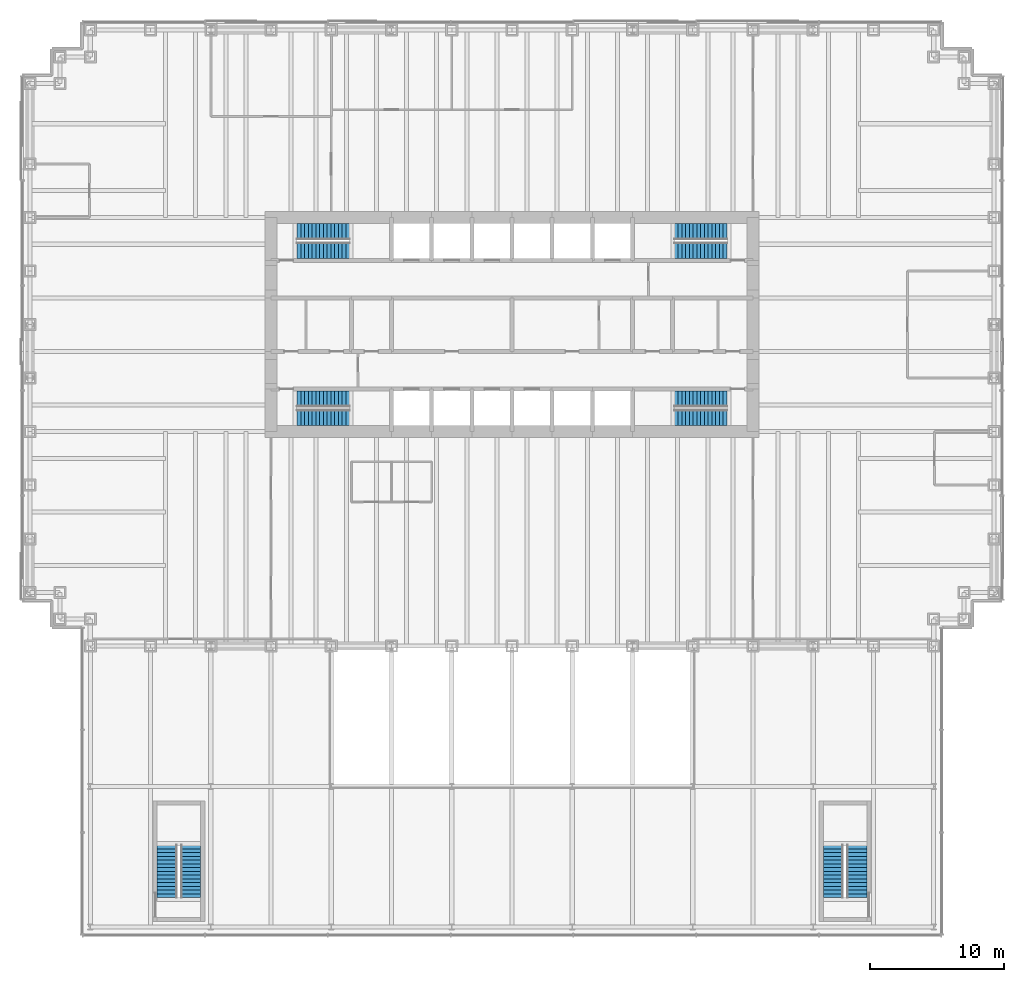
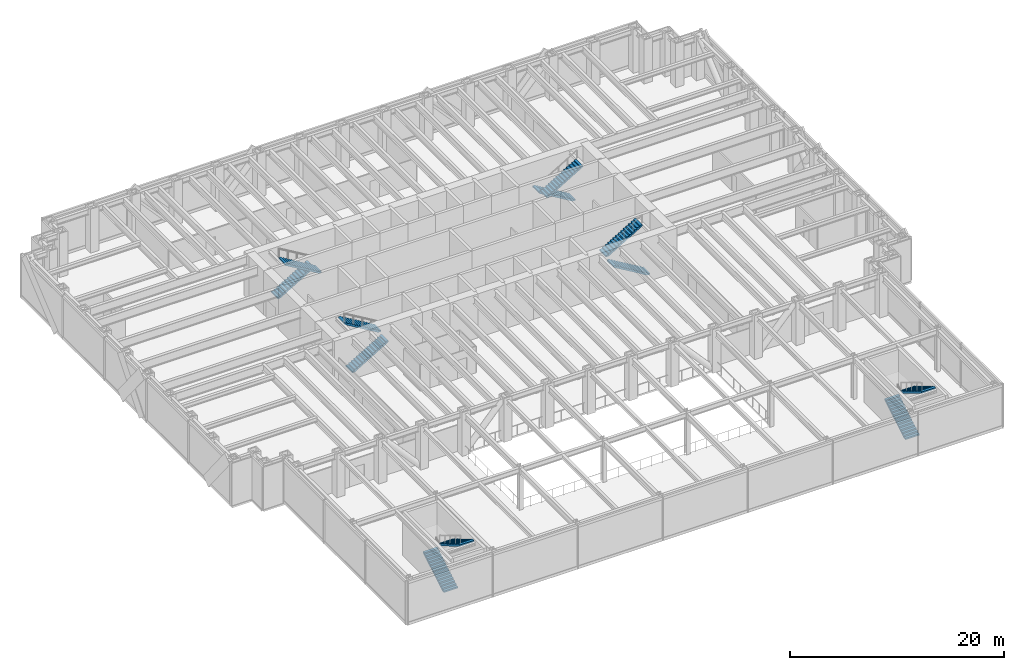
# One storey, part 16 of 17: 12 stair flights, 6 elements without a shape of their own.
"""IFC4 building model written with IfcOpenShell, lengths in metres."""

from ifc_helpers import new_model, si_unit, direction, frame, origin, place, context, subcontext, project, spatial, polyline, outline, extrude, material, type_object, element, aggregate, save


model = new_model("IFC4")

# Units and contexts
model_context = context("Model", 3, precision=1e-05, world=origin(), true_north=direction((0.0, 1.0)))
body_context = subcontext(model_context, "Body", "Model", "MODEL_VIEW")
ifc_project = project(units=[si_unit("LENGTHUNIT", "METRE"), si_unit("AREAUNIT", "SQUARE_METRE"), si_unit("VOLUMEUNIT", "CUBIC_METRE"), si_unit("PLANEANGLEUNIT", "RADIAN"), si_unit("MASSUNIT", "GRAM", prefix="KILO")], contexts=[model_context])

# Site, building, storey
site_placement = place(None, origin())
site = spatial("IfcSite", under=ifc_project, at=site_placement, CompositionType="ELEMENT")
building_placement = place(site_placement, origin())
building = spatial("IfcBuilding", under=site, at=building_placement, Name="Rheinbord Bourse Tower", CompositionType="ELEMENT")
storey_placement = place(building_placement, frame((0.0, 0.0, 18.0)))
storey = spatial("IfcBuildingStorey", under=building, at=storey_placement, Name="L03", CompositionType="ELEMENT", Elevation=18.0)

# Stair, stair flights
ifc_material_1 = material(Name="Concrete C30/37", Category="concrete")
stair_type_1 = type_object("IfcStairType", Name="CORE STAIR HALF TURN 5000", PredefinedType="HALF_TURN_STAIR", material=ifc_material_1)
stair_1_placement = place(storey_placement, origin())
stair_1 = element("IfcStair", 1, at=stair_1_placement, inside=storey, type_object=stair_type_1, Name="Stair ST1 L03, type CS3", PredefinedType="HALF_TURN_STAIR")
ifc_material_2 = material(Name="Concrete C30/37", Category="concrete")
stair_flight_type_1 = type_object("IfcStairFlightType", Name="CORE STAIR FLIGHT 1200, 15 RISERS", PredefinedType="STRAIGHT", material=ifc_material_2)
stair_flight_1_placement = place(storey_placement, frame((19.949951171875, 17.050048828125, 0.0), z_axis=(0.0, 0.0, 1.0), x_axis=(1.0, 0.0, 0.0)))
stair_flight_1 = element("IfcStairFlight", 2, at=stair_flight_1_placement, type_object=stair_flight_type_1, Name="STAIR L03 ST1 F1", NumberOfRisers=15, NumberOfTreads=14, PredefinedType="STRAIGHT", RiserHeight=0.166666667, TreadLength=0.28, context=body_context, shape_type="SweptSolid", body=[
    extrude(outline(polyline([(0.0, 0.0), (0.0, 0.166748046875), (0.280029296875, 0.166748046875), (0.280029296875, 0.333251953125), (0.56005859375, 0.333251953125), (0.56005859375, 0.5), (0.840087890625, 0.5), (0.840087890625, 0.666748046875), (1.1201171875, 0.666748046875), (1.1201171875, 0.833251953125), (1.39990234375, 0.833251953125), (1.39990234375, 1.0), (1.679931640625, 1.0), (1.679931640625, 1.166748046875), (1.9599609375, 1.166748046875), (1.9599609375, 1.333251953125), (2.239990234375, 1.333251953125), (2.239990234375, 1.5), (2.52001953125, 1.5), (2.52001953125, 1.666748046875), (2.800048828125, 1.666748046875), (2.800048828125, 1.833251953125), (3.080078125, 1.833251953125), (3.080078125, 2.0), (3.360107421875, 2.0), (3.360107421875, 2.166748046875), (3.639892578125, 2.166748046875), (3.639892578125, 2.333251953125), (3.919921875, 2.333251953125), (3.919921875, 2.5), (3.919921875, 2.158935546875), (0.29296875, 0.0), (0.0, 0.0)])), frame((0.0, 0.60009765625, 0.0), z_axis=(0.0, -1.0, 0.0), x_axis=(1.0, 0.0, 0.0)), (0.0, 0.0, 1.0), 1.199951171875),
])
stair_flight_2_placement = place(storey_placement, frame((23.8701171875, 18.449951171875, 2.5), z_axis=(0.0, 0.0, 1.0), x_axis=(-1.0, 0.0, 0.0)))
stair_flight_2 = element("IfcStairFlight", 3, at=stair_flight_2_placement, type_object=stair_flight_type_1, Name="STAIR L03 ST1 F2", NumberOfRisers=15, NumberOfTreads=14, PredefinedType="STRAIGHT", RiserHeight=0.166666667, TreadLength=0.28, context=body_context, shape_type="SweptSolid", body=[
    extrude(outline(polyline([(0.0, 0.0), (0.0, 0.166748046875), (0.280029296875, 0.166748046875), (0.280029296875, 0.333251953125), (0.56005859375, 0.333251953125), (0.56005859375, 0.5), (0.840087890625, 0.5), (0.840087890625, 0.666748046875), (1.1201171875, 0.666748046875), (1.1201171875, 0.833251953125), (1.39990234375, 0.833251953125), (1.39990234375, 1.0), (1.679931640625, 1.0), (1.679931640625, 1.166748046875), (1.9599609375, 1.166748046875), (1.9599609375, 1.333251953125), (2.239990234375, 1.333251953125), (2.239990234375, 1.5), (2.52001953125, 1.5), (2.52001953125, 1.666748046875), (2.800048828125, 1.666748046875), (2.800048828125, 1.833251953125), (3.080078125, 1.833251953125), (3.080078125, 2.0), (3.360107421875, 2.0), (3.360107421875, 2.166748046875), (3.639892578125, 2.166748046875), (3.639892578125, 2.333251953125), (3.919921875, 2.333251953125), (3.919921875, 2.5), (3.919921875, 2.158935546875), (0.29296875, 0.0), (0.0, 0.0)])), frame((0.0, 0.60009765625, 0.0), z_axis=(0.0, -1.0, 0.0), x_axis=(1.0, 0.0, 0.0)), (0.0, 0.0, 1.0), 1.199951171875),
])
aggregate(stair_1, [stair_flight_1, stair_flight_2])

stair_2_placement = place(storey_placement, origin())
stair_2 = element("IfcStair", 4, at=stair_2_placement, inside=storey, type_object=stair_type_1, Name="Stair ST2 L03, type CS3", PredefinedType="HALF_TURN_STAIR")
stair_flight_3_placement = place(storey_placement, frame((19.949951171875, 30.949951171875, 0.0), z_axis=(0.0, 0.0, 1.0), x_axis=(1.0, 0.0, 0.0)))
stair_flight_3 = element("IfcStairFlight", 5, at=stair_flight_3_placement, type_object=stair_flight_type_1, Name="STAIR L03 ST2 F1", NumberOfRisers=15, NumberOfTreads=14, PredefinedType="STRAIGHT", RiserHeight=0.166666667, TreadLength=0.28, context=body_context, shape_type="SweptSolid", body=[
    extrude(outline(polyline([(0.0, 0.0), (0.0, 0.166748046875), (0.280029296875, 0.166748046875), (0.280029296875, 0.333251953125), (0.56005859375, 0.333251953125), (0.56005859375, 0.5), (0.840087890625, 0.5), (0.840087890625, 0.666748046875), (1.1201171875, 0.666748046875), (1.1201171875, 0.833251953125), (1.39990234375, 0.833251953125), (1.39990234375, 1.0), (1.679931640625, 1.0), (1.679931640625, 1.166748046875), (1.9599609375, 1.166748046875), (1.9599609375, 1.333251953125), (2.239990234375, 1.333251953125), (2.239990234375, 1.5), (2.52001953125, 1.5), (2.52001953125, 1.666748046875), (2.800048828125, 1.666748046875), (2.800048828125, 1.833251953125), (3.080078125, 1.833251953125), (3.080078125, 2.0), (3.360107421875, 2.0), (3.360107421875, 2.166748046875), (3.639892578125, 2.166748046875), (3.639892578125, 2.333251953125), (3.919921875, 2.333251953125), (3.919921875, 2.5), (3.919921875, 2.158935546875), (0.29296875, 0.0), (0.0, 0.0)])), frame((0.0, 0.60009765625, 0.0), z_axis=(0.0, -1.0, 0.0), x_axis=(1.0, 0.0, 0.0)), (0.0, 0.0, 1.0), 1.199951171875),
])
stair_flight_4_placement = place(storey_placement, frame((23.8701171875, 29.550048828125, 2.5), z_axis=(0.0, 0.0, 1.0), x_axis=(-1.0, 0.0, 0.0)))
stair_flight_4 = element("IfcStairFlight", 6, at=stair_flight_4_placement, type_object=stair_flight_type_1, Name="STAIR L03 ST2 F2", NumberOfRisers=15, NumberOfTreads=14, PredefinedType="STRAIGHT", RiserHeight=0.166666667, TreadLength=0.28, context=body_context, shape_type="SweptSolid", body=[
    extrude(outline(polyline([(0.0, 0.0), (0.0, 0.166748046875), (0.280029296875, 0.166748046875), (0.280029296875, 0.333251953125), (0.56005859375, 0.333251953125), (0.56005859375, 0.5), (0.840087890625, 0.5), (0.840087890625, 0.666748046875), (1.1201171875, 0.666748046875), (1.1201171875, 0.833251953125), (1.39990234375, 0.833251953125), (1.39990234375, 1.0), (1.679931640625, 1.0), (1.679931640625, 1.166748046875), (1.9599609375, 1.166748046875), (1.9599609375, 1.333251953125), (2.239990234375, 1.333251953125), (2.239990234375, 1.5), (2.52001953125, 1.5), (2.52001953125, 1.666748046875), (2.800048828125, 1.666748046875), (2.800048828125, 1.833251953125), (3.080078125, 1.833251953125), (3.080078125, 2.0), (3.360107421875, 2.0), (3.360107421875, 2.166748046875), (3.639892578125, 2.166748046875), (3.639892578125, 2.333251953125), (3.919921875, 2.333251953125), (3.919921875, 2.5), (3.919921875, 2.158935546875), (0.29296875, 0.0), (0.0, 0.0)])), frame((0.0, 0.60009765625, 0.0), z_axis=(0.0, -1.0, 0.0), x_axis=(1.0, 0.0, 0.0)), (0.0, 0.0, 1.0), 1.199951171875),
])
aggregate(stair_2, [stair_flight_3, stair_flight_4])

stair_3_placement = place(storey_placement, origin())
stair_3 = element("IfcStair", 7, at=stair_3_placement, inside=storey, type_object=stair_type_1, Name="Stair ST3 L03, type CS3", PredefinedType="HALF_TURN_STAIR")
stair_flight_5_placement = place(storey_placement, frame((52.050048828125, 17.050048828125, 0.0), z_axis=(0.0, 0.0, 1.0), x_axis=(-1.0, 0.0, 0.0)))
stair_flight_5 = element("IfcStairFlight", 8, at=stair_flight_5_placement, type_object=stair_flight_type_1, Name="STAIR L03 ST3 F1", NumberOfRisers=15, NumberOfTreads=14, PredefinedType="STRAIGHT", RiserHeight=0.166666667, TreadLength=0.28, context=body_context, shape_type="SweptSolid", body=[
    extrude(outline(polyline([(0.0, 0.0), (0.0, 0.166748046875), (0.280029296875, 0.166748046875), (0.280029296875, 0.333251953125), (0.56005859375, 0.333251953125), (0.56005859375, 0.5), (0.840087890625, 0.5), (0.840087890625, 0.666748046875), (1.1201171875, 0.666748046875), (1.1201171875, 0.833251953125), (1.39990234375, 0.833251953125), (1.39990234375, 1.0), (1.679931640625, 1.0), (1.679931640625, 1.166748046875), (1.9599609375, 1.166748046875), (1.9599609375, 1.333251953125), (2.239990234375, 1.333251953125), (2.239990234375, 1.5), (2.52001953125, 1.5), (2.52001953125, 1.666748046875), (2.800048828125, 1.666748046875), (2.800048828125, 1.833251953125), (3.080078125, 1.833251953125), (3.080078125, 2.0), (3.360107421875, 2.0), (3.360107421875, 2.166748046875), (3.639892578125, 2.166748046875), (3.639892578125, 2.333251953125), (3.919921875, 2.333251953125), (3.919921875, 2.5), (3.919921875, 2.158935546875), (0.29296875, 0.0), (0.0, 0.0)])), frame((0.0, 0.60009765625, 0.0), z_axis=(0.0, -1.0, 0.0), x_axis=(1.0, 0.0, 0.0)), (0.0, 0.0, 1.0), 1.199951171875),
])
stair_flight_6_placement = place(storey_placement, frame((48.1298828125, 18.449951171875, 2.5), z_axis=(0.0, 0.0, 1.0), x_axis=(1.0, 0.0, 0.0)))
stair_flight_6 = element("IfcStairFlight", 9, at=stair_flight_6_placement, type_object=stair_flight_type_1, Name="STAIR L03 ST3 F2", NumberOfRisers=15, NumberOfTreads=14, PredefinedType="STRAIGHT", RiserHeight=0.166666667, TreadLength=0.28, context=body_context, shape_type="SweptSolid", body=[
    extrude(outline(polyline([(0.0, 0.0), (0.0, 0.166748046875), (0.280029296875, 0.166748046875), (0.280029296875, 0.333251953125), (0.56005859375, 0.333251953125), (0.56005859375, 0.5), (0.840087890625, 0.5), (0.840087890625, 0.666748046875), (1.1201171875, 0.666748046875), (1.1201171875, 0.833251953125), (1.39990234375, 0.833251953125), (1.39990234375, 1.0), (1.679931640625, 1.0), (1.679931640625, 1.166748046875), (1.9599609375, 1.166748046875), (1.9599609375, 1.333251953125), (2.239990234375, 1.333251953125), (2.239990234375, 1.5), (2.52001953125, 1.5), (2.52001953125, 1.666748046875), (2.800048828125, 1.666748046875), (2.800048828125, 1.833251953125), (3.080078125, 1.833251953125), (3.080078125, 2.0), (3.360107421875, 2.0), (3.360107421875, 2.166748046875), (3.639892578125, 2.166748046875), (3.639892578125, 2.333251953125), (3.919921875, 2.333251953125), (3.919921875, 2.5), (3.919921875, 2.158935546875), (0.29296875, 0.0), (0.0, 0.0)])), frame((0.0, 0.60009765625, 0.0), z_axis=(0.0, -1.0, 0.0), x_axis=(1.0, 0.0, 0.0)), (0.0, 0.0, 1.0), 1.199951171875),
])
aggregate(stair_3, [stair_flight_5, stair_flight_6])

stair_4_placement = place(storey_placement, origin())
stair_4 = element("IfcStair", 10, at=stair_4_placement, inside=storey, type_object=stair_type_1, Name="Stair ST4 L03, type CS3", PredefinedType="HALF_TURN_STAIR")
stair_flight_7_placement = place(storey_placement, frame((52.050048828125, 30.949951171875, 0.0), z_axis=(0.0, 0.0, 1.0), x_axis=(-1.0, 0.0, 0.0)))
stair_flight_7 = element("IfcStairFlight", 11, at=stair_flight_7_placement, type_object=stair_flight_type_1, Name="STAIR L03 ST4 F1", NumberOfRisers=15, NumberOfTreads=14, PredefinedType="STRAIGHT", RiserHeight=0.166666667, TreadLength=0.28, context=body_context, shape_type="SweptSolid", body=[
    extrude(outline(polyline([(0.0, 0.0), (0.0, 0.166748046875), (0.280029296875, 0.166748046875), (0.280029296875, 0.333251953125), (0.56005859375, 0.333251953125), (0.56005859375, 0.5), (0.840087890625, 0.5), (0.840087890625, 0.666748046875), (1.1201171875, 0.666748046875), (1.1201171875, 0.833251953125), (1.39990234375, 0.833251953125), (1.39990234375, 1.0), (1.679931640625, 1.0), (1.679931640625, 1.166748046875), (1.9599609375, 1.166748046875), (1.9599609375, 1.333251953125), (2.239990234375, 1.333251953125), (2.239990234375, 1.5), (2.52001953125, 1.5), (2.52001953125, 1.666748046875), (2.800048828125, 1.666748046875), (2.800048828125, 1.833251953125), (3.080078125, 1.833251953125), (3.080078125, 2.0), (3.360107421875, 2.0), (3.360107421875, 2.166748046875), (3.639892578125, 2.166748046875), (3.639892578125, 2.333251953125), (3.919921875, 2.333251953125), (3.919921875, 2.5), (3.919921875, 2.158935546875), (0.29296875, 0.0), (0.0, 0.0)])), frame((0.0, 0.60009765625, 0.0), z_axis=(0.0, -1.0, 0.0), x_axis=(1.0, 0.0, 0.0)), (0.0, 0.0, 1.0), 1.199951171875),
])
stair_flight_8_placement = place(storey_placement, frame((48.1298828125, 29.550048828125, 2.5), z_axis=(0.0, 0.0, 1.0), x_axis=(1.0, 0.0, 0.0)))
stair_flight_8 = element("IfcStairFlight", 12, at=stair_flight_8_placement, type_object=stair_flight_type_1, Name="STAIR L03 ST4 F2", NumberOfRisers=15, NumberOfTreads=14, PredefinedType="STRAIGHT", RiserHeight=0.166666667, TreadLength=0.28, context=body_context, shape_type="SweptSolid", body=[
    extrude(outline(polyline([(0.0, 0.0), (0.0, 0.166748046875), (0.280029296875, 0.166748046875), (0.280029296875, 0.333251953125), (0.56005859375, 0.333251953125), (0.56005859375, 0.5), (0.840087890625, 0.5), (0.840087890625, 0.666748046875), (1.1201171875, 0.666748046875), (1.1201171875, 0.833251953125), (1.39990234375, 0.833251953125), (1.39990234375, 1.0), (1.679931640625, 1.0), (1.679931640625, 1.166748046875), (1.9599609375, 1.166748046875), (1.9599609375, 1.333251953125), (2.239990234375, 1.333251953125), (2.239990234375, 1.5), (2.52001953125, 1.5), (2.52001953125, 1.666748046875), (2.800048828125, 1.666748046875), (2.800048828125, 1.833251953125), (3.080078125, 1.833251953125), (3.080078125, 2.0), (3.360107421875, 2.0), (3.360107421875, 2.166748046875), (3.639892578125, 2.166748046875), (3.639892578125, 2.333251953125), (3.919921875, 2.333251953125), (3.919921875, 2.5), (3.919921875, 2.158935546875), (0.29296875, 0.0), (0.0, 0.0)])), frame((0.0, 0.60009765625, 0.0), z_axis=(0.0, -1.0, 0.0), x_axis=(1.0, 0.0, 0.0)), (0.0, 0.0, 1.0), 1.199951171875),
])
aggregate(stair_4, [stair_flight_7, stair_flight_8])

ifc_material_3 = material(Name="Concrete C30/37", Category="concrete")
stair_type_2 = type_object("IfcStairType", Name="PODIUM STAIR HALF TURN", PredefinedType="HALF_TURN_STAIR", material=ifc_material_3)
stair_5_placement = place(storey_placement, origin())
stair_5 = element("IfcStair", 13, at=stair_5_placement, inside=storey, type_object=stair_type_2, Name="Stair ST5 L03, type PS1", PredefinedType="HALF_TURN_STAIR")
ifc_material_4 = material(Name="Concrete C30/37", Category="concrete")
stair_flight_type_2 = type_object("IfcStairFlightType", Name="PODIUM STAIR FLIGHT 1500", PredefinedType="STRAIGHT", material=ifc_material_4)
stair_flight_9_placement = place(storey_placement, frame((10.25, -18.800048828125, 0.0), z_axis=(0.0, 0.0, 1.0), x_axis=(0.0, 1.0, 0.0)))
stair_flight_9 = element("IfcStairFlight", 14, at=stair_flight_9_placement, type_object=stair_flight_type_2, Name="STAIR L03 ST5 F1", NumberOfRisers=15, NumberOfTreads=14, PredefinedType="STRAIGHT", RiserHeight=0.166666667, TreadLength=0.28, context=body_context, shape_type="SweptSolid", body=[
    extrude(outline(polyline([(0.0, 0.0), (0.0, 0.166748046875), (0.280029296875, 0.166748046875), (0.280029296875, 0.333251953125), (0.56005859375, 0.333251953125), (0.56005859375, 0.5), (0.840087890625, 0.5), (0.840087890625, 0.666748046875), (1.1201171875, 0.666748046875), (1.1201171875, 0.833251953125), (1.39990234375, 0.833251953125), (1.39990234375, 1.0), (1.679931640625, 1.0), (1.679931640625, 1.166748046875), (1.9599609375, 1.166748046875), (1.9599609375, 1.333251953125), (2.239990234375, 1.333251953125), (2.239990234375, 1.5), (2.52001953125, 1.5), (2.52001953125, 1.666748046875), (2.800048828125, 1.666748046875), (2.800048828125, 1.833251953125), (3.080078125, 1.833251953125), (3.080078125, 2.0), (3.360107421875, 2.0), (3.360107421875, 2.166748046875), (3.639892578125, 2.166748046875), (3.639892578125, 2.333251953125), (3.919921875, 2.333251953125), (3.919921875, 2.5), (3.919921875, 2.158935546875), (0.29296875, 0.0), (0.0, 0.0)])), frame((0.0, 0.75, 0.0), z_axis=(0.0, -1.0, 0.0), x_axis=(1.0, 0.0, 0.0)), (0.0, 0.0, 1.0), 1.5),
])
stair_flight_10_placement = place(storey_placement, frame((12.0, -14.8798828125, 2.5), z_axis=(0.0, 0.0, 1.0), x_axis=(0.0, -1.0, 0.0)))
stair_flight_10 = element("IfcStairFlight", 15, at=stair_flight_10_placement, type_object=stair_flight_type_2, Name="STAIR L03 ST5 F2", NumberOfRisers=15, NumberOfTreads=14, PredefinedType="STRAIGHT", RiserHeight=0.166666667, TreadLength=0.28, context=body_context, shape_type="SweptSolid", body=[
    extrude(outline(polyline([(0.0, 0.0), (0.0, 0.166748046875), (0.280029296875, 0.166748046875), (0.280029296875, 0.333251953125), (0.56005859375, 0.333251953125), (0.56005859375, 0.5), (0.840087890625, 0.5), (0.840087890625, 0.666748046875), (1.1201171875, 0.666748046875), (1.1201171875, 0.833251953125), (1.39990234375, 0.833251953125), (1.39990234375, 1.0), (1.679931640625, 1.0), (1.679931640625, 1.166748046875), (1.9599609375, 1.166748046875), (1.9599609375, 1.333251953125), (2.239990234375, 1.333251953125), (2.239990234375, 1.5), (2.52001953125, 1.5), (2.52001953125, 1.666748046875), (2.800048828125, 1.666748046875), (2.800048828125, 1.833251953125), (3.080078125, 1.833251953125), (3.080078125, 2.0), (3.360107421875, 2.0), (3.360107421875, 2.166748046875), (3.639892578125, 2.166748046875), (3.639892578125, 2.333251953125), (3.919921875, 2.333251953125), (3.919921875, 2.5), (3.919921875, 2.158935546875), (0.29296875, 0.0), (0.0, 0.0)])), frame((0.0, 0.75, 0.0), z_axis=(0.0, -1.0, 0.0), x_axis=(1.0, 0.0, 0.0)), (0.0, 0.0, 1.0), 1.5),
])
aggregate(stair_5, [stair_flight_9, stair_flight_10])

stair_6_placement = place(storey_placement, origin())
stair_6 = element("IfcStair", 16, at=stair_6_placement, inside=storey, type_object=stair_type_2, Name="Stair ST6 L03, type PS1", PredefinedType="HALF_TURN_STAIR")
stair_flight_11_placement = place(storey_placement, frame((60.0, -18.800048828125, 0.0), z_axis=(0.0, 0.0, 1.0), x_axis=(0.0, 1.0, 0.0)))
stair_flight_11 = element("IfcStairFlight", 17, at=stair_flight_11_placement, type_object=stair_flight_type_2, Name="STAIR L03 ST6 F1", NumberOfRisers=15, NumberOfTreads=14, PredefinedType="STRAIGHT", RiserHeight=0.166666667, TreadLength=0.28, context=body_context, shape_type="SweptSolid", body=[
    extrude(outline(polyline([(0.0, 0.0), (0.0, 0.166748046875), (0.280029296875, 0.166748046875), (0.280029296875, 0.333251953125), (0.56005859375, 0.333251953125), (0.56005859375, 0.5), (0.840087890625, 0.5), (0.840087890625, 0.666748046875), (1.1201171875, 0.666748046875), (1.1201171875, 0.833251953125), (1.39990234375, 0.833251953125), (1.39990234375, 1.0), (1.679931640625, 1.0), (1.679931640625, 1.166748046875), (1.9599609375, 1.166748046875), (1.9599609375, 1.333251953125), (2.239990234375, 1.333251953125), (2.239990234375, 1.5), (2.52001953125, 1.5), (2.52001953125, 1.666748046875), (2.800048828125, 1.666748046875), (2.800048828125, 1.833251953125), (3.080078125, 1.833251953125), (3.080078125, 2.0), (3.360107421875, 2.0), (3.360107421875, 2.166748046875), (3.639892578125, 2.166748046875), (3.639892578125, 2.333251953125), (3.919921875, 2.333251953125), (3.919921875, 2.5), (3.919921875, 2.158935546875), (0.29296875, 0.0), (0.0, 0.0)])), frame((0.0, 0.75, 0.0), z_axis=(0.0, -1.0, 0.0), x_axis=(1.0, 0.0, 0.0)), (0.0, 0.0, 1.0), 1.5),
])
stair_flight_12_placement = place(storey_placement, frame((61.75, -14.8798828125, 2.5), z_axis=(0.0, 0.0, 1.0), x_axis=(0.0, -1.0, 0.0)))
stair_flight_12 = element("IfcStairFlight", 18, at=stair_flight_12_placement, type_object=stair_flight_type_2, Name="STAIR L03 ST6 F2", NumberOfRisers=15, NumberOfTreads=14, PredefinedType="STRAIGHT", RiserHeight=0.166666667, TreadLength=0.28, context=body_context, shape_type="SweptSolid", body=[
    extrude(outline(polyline([(0.0, 0.0), (0.0, 0.166748046875), (0.280029296875, 0.166748046875), (0.280029296875, 0.333251953125), (0.56005859375, 0.333251953125), (0.56005859375, 0.5), (0.840087890625, 0.5), (0.840087890625, 0.666748046875), (1.1201171875, 0.666748046875), (1.1201171875, 0.833251953125), (1.39990234375, 0.833251953125), (1.39990234375, 1.0), (1.679931640625, 1.0), (1.679931640625, 1.166748046875), (1.9599609375, 1.166748046875), (1.9599609375, 1.333251953125), (2.239990234375, 1.333251953125), (2.239990234375, 1.5), (2.52001953125, 1.5), (2.52001953125, 1.666748046875), (2.800048828125, 1.666748046875), (2.800048828125, 1.833251953125), (3.080078125, 1.833251953125), (3.080078125, 2.0), (3.360107421875, 2.0), (3.360107421875, 2.166748046875), (3.639892578125, 2.166748046875), (3.639892578125, 2.333251953125), (3.919921875, 2.333251953125), (3.919921875, 2.5), (3.919921875, 2.158935546875), (0.29296875, 0.0), (0.0, 0.0)])), frame((0.0, 0.75, 0.0), z_axis=(0.0, -1.0, 0.0), x_axis=(1.0, 0.0, 0.0)), (0.0, 0.0, 1.0), 1.5),
])
aggregate(stair_6, [stair_flight_11, stair_flight_12])

save(model, "model.ifc")
